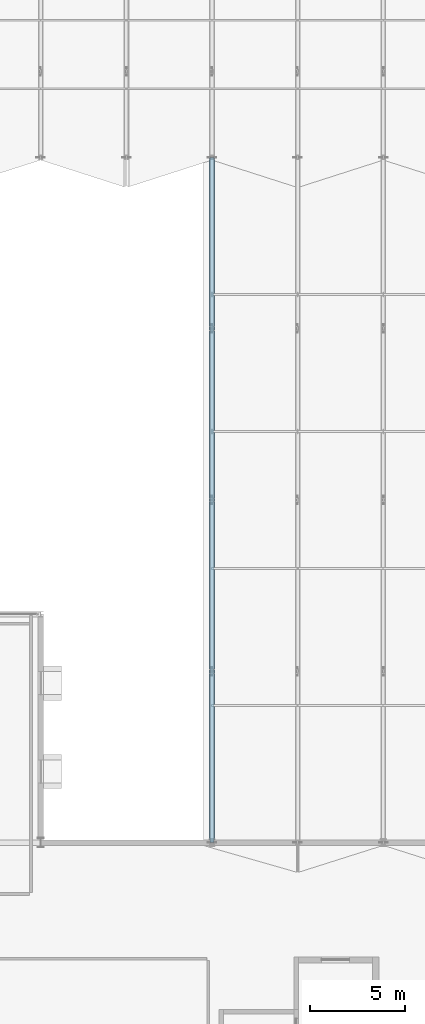
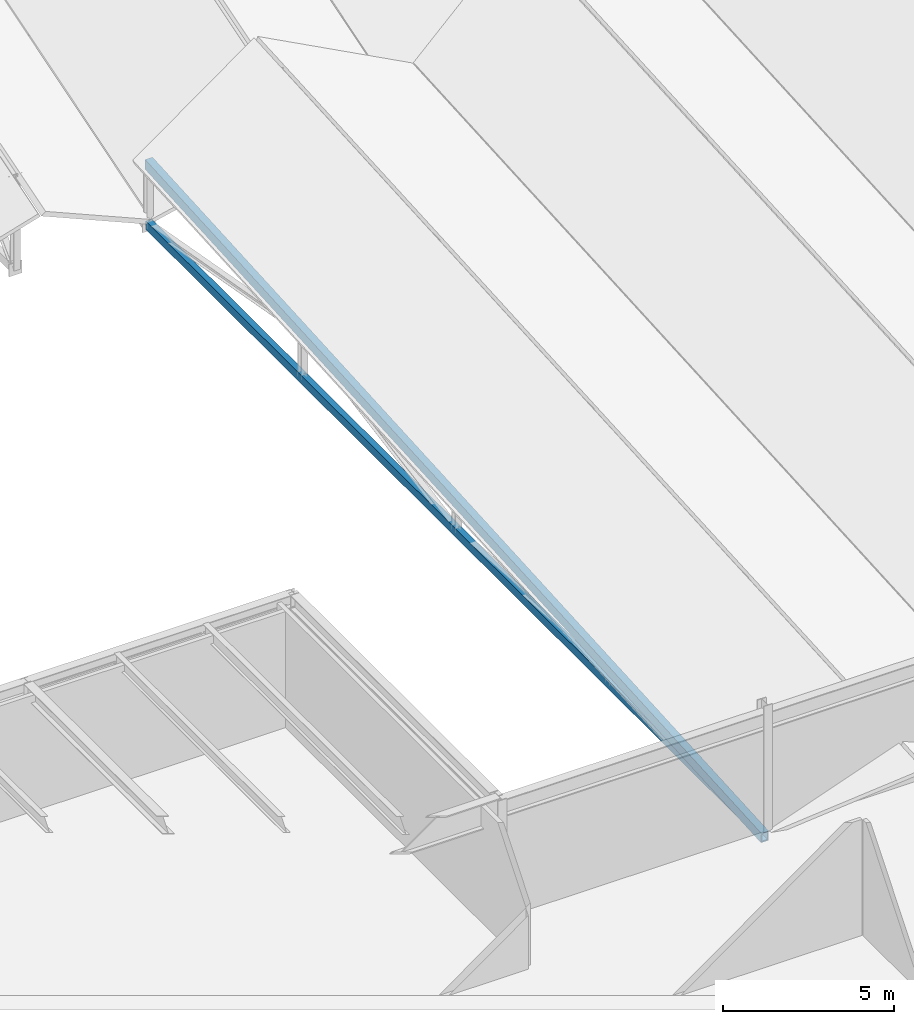
# One storey, part 29 of 142: 2 members.
"""IFC4 building model written with IfcOpenShell, lengths in metres."""

from ifc_helpers import new_model, si_unit, direction, frame, origin, origin_2d, place, context, subcontext, project, spatial, hollow_rectangle, extrude, material, material_profile, profile_set, type_object, element, save


model = new_model("IFC4")

# Units and contexts
model_context = context("Model", 3, precision=1e-05, world=origin(), true_north=direction((0.0, 1.0)))
body_context = subcontext(model_context, "Body", "Model", "MODEL_VIEW")
ifc_project = project(units=[si_unit("LENGTHUNIT", "METRE"), si_unit("AREAUNIT", "SQUARE_METRE"), si_unit("VOLUMEUNIT", "CUBIC_METRE"), si_unit("PLANEANGLEUNIT", "RADIAN"), si_unit("MASSUNIT", "GRAM", prefix="KILO")], contexts=[model_context])

# Site, building, storey
site_placement = place(None, origin())
site = spatial("IfcSite", under=ifc_project, at=site_placement, CompositionType="ELEMENT")
building_placement = place(site_placement, origin())
building = spatial("IfcBuilding", under=site, at=building_placement, Name="Montelvaro Courts of Justice", CompositionType="ELEMENT")
storey_placement = place(building_placement, frame((0.0, 0.0, 14.39990234375)))
storey = spatial("IfcBuildingStorey", under=building, at=storey_placement, Name="L03", CompositionType="ELEMENT", Elevation=14.39990234375)

# Members
ifc_material = material(Name="Steel S355", Category="steel")
ifc_material_profile_1 = material_profile(ifc_material, hollow_rectangle(XDim=0.199951171875, YDim=0.300048828125, WallThickness=0.012451171875, at=origin_2d()), Name="RHS 300x200x12.5")
ifc_profile_set_1 = profile_set([ifc_material_profile_1], Name="Steel S355")
member_type_1 = type_object("IfcMemberType", Name="Mem_RHS300_Chord", PredefinedType="CHORD", material=ifc_profile_set_1)
member_1_placement = place(storey_placement, frame((54.0, 42.0, -0.2998046875), z_axis=(0.0, 1.0, 0.0), x_axis=(-1.0, 0.0, 0.0)))
element("IfcMember", 1, at=member_1_placement, inside=storey, type_object=member_type_1, Name="Roof Truss ROOF-PASSAGE-VTR01 Bottom Chord", PredefinedType="CHORD", context=body_context, shape_type="SweptSolid", body=[
    extrude(hollow_rectangle(XDim=0.199951171875, YDim=0.300048828125, WallThickness=0.012451171875, at=origin_2d()), origin(), (0.0, 0.0, 1.0), 36.0),
])
ifc_material_profile_2 = material_profile(ifc_material, hollow_rectangle(XDim=0.25, YDim=0.35009765625, WallThickness=0.012451171875, at=origin_2d()), Name="RHS 350x250x12.5")
ifc_profile_set_2 = profile_set([ifc_material_profile_2], Name="Steel S355")
member_type_2 = type_object("IfcMemberType", Name="Mem_RHS350_Chord", PredefinedType="CHORD", material=ifc_profile_set_2)
member_2_placement = place(storey_placement, frame((54.0, 42.0, -0.31982421875), z_axis=(0.0, 0.998138012374, 0.060995969167), x_axis=(-1.0, 0.0, 0.0)))
element("IfcMember", 2, at=member_2_placement, inside=storey, type_object=member_type_2, Name="Roof Truss ROOF-PASSAGE-VTR01 Top Chord", PredefinedType="CHORD", context=body_context, shape_type="SweptSolid", body=[
    extrude(hollow_rectangle(XDim=0.25, YDim=0.35009765625, WallThickness=0.012451171875, at=origin_2d()), origin(), (0.0, 0.0, 1.0), 36.067138671875),
])

save(model, "model.ifc")
